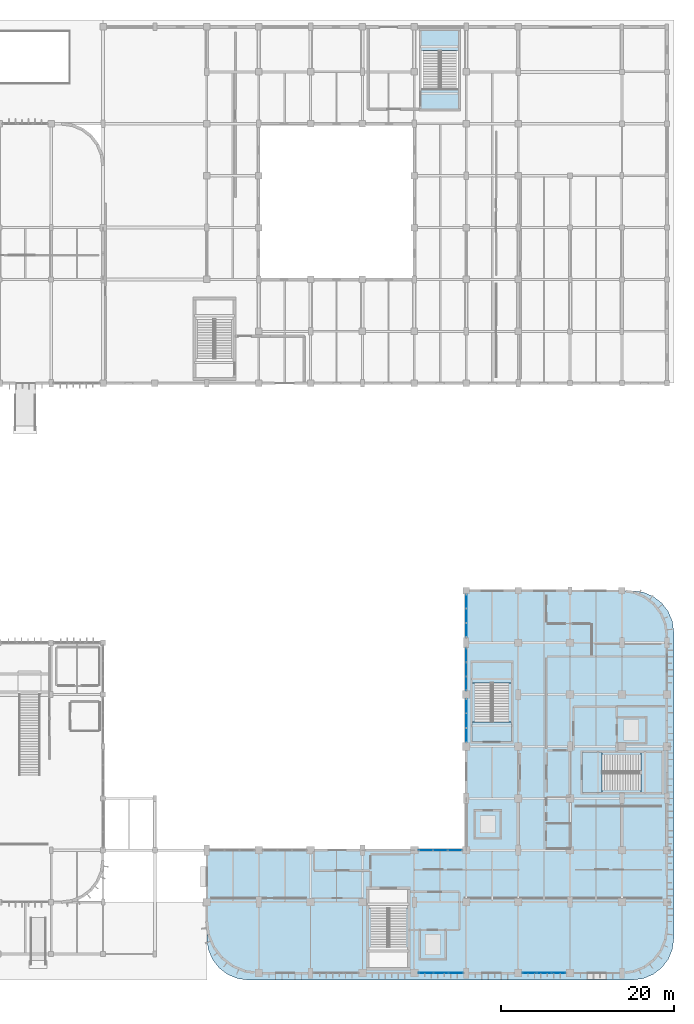
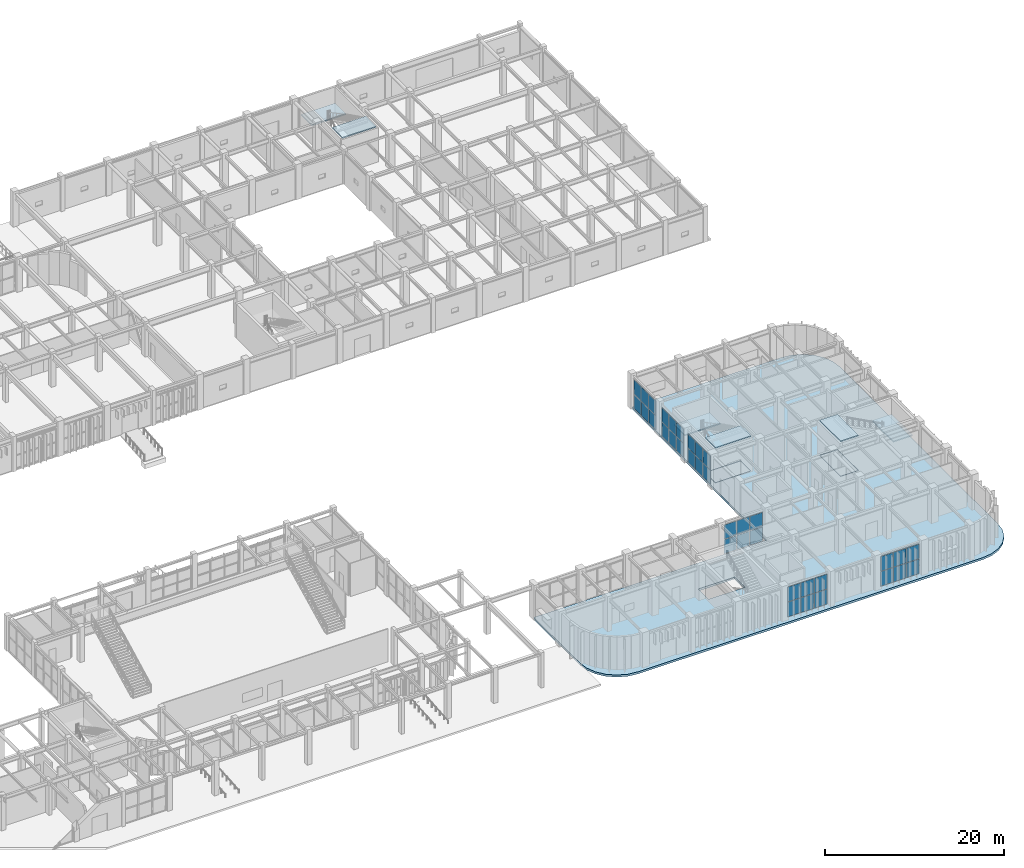
# One storey, part 39 of 76: 36 plates, 9 slabs, 9 elements without a shape of their own.
"""IFC4 building model written with IfcOpenShell, lengths in metres."""

from ifc_helpers import new_model, si_unit, direction, frame, origin, origin_2d, place, context, subcontext, project, spatial, polyline, rectangle, outline, extrude, material, layer, layer_set, type_object, element, aggregate, save


model = new_model("IFC4")

# Units and contexts
model_context = context("Model", 3, precision=1e-05, world=origin(), true_north=direction((0.0, 1.0)))
body_context = subcontext(model_context, "Body", "Model", "MODEL_VIEW")
ifc_project = project(units=[si_unit("LENGTHUNIT", "METRE"), si_unit("AREAUNIT", "SQUARE_METRE"), si_unit("VOLUMEUNIT", "CUBIC_METRE"), si_unit("PLANEANGLEUNIT", "RADIAN"), si_unit("MASSUNIT", "GRAM", prefix="KILO")], contexts=[model_context])

# Site, building, storey
site_placement = place(None, origin())
site = spatial("IfcSite", under=ifc_project, at=site_placement, CompositionType="ELEMENT")
building_placement = place(site_placement, origin())
building = spatial("IfcBuilding", under=site, at=building_placement, Name="Varnakota Square Police Headquarters", CompositionType="ELEMENT")
storey_placement = place(building_placement, origin())
storey = spatial("IfcBuildingStorey", under=building, at=storey_placement, Name="L00", CompositionType="ELEMENT", Elevation=0.0)

# Curtain wall, plates
ifc_material_1 = material(Name="Anodised Aluminium Framing", Category="aluminium")
curtain_wall_type_1 = type_object("IfcCurtainWallType", Name="CW-SYS-B", PredefinedType="NOTDEFINED", material=ifc_material_1)
curtain_wall_1_placement = place(storey_placement, origin())
curtain_wall_1 = element("IfcCurtainWall", 1, at=curtain_wall_1_placement, inside=storey, type_object=curtain_wall_type_1, Name="Unitised curtain wall CWG-L00-047", PredefinedType="NOTDEFINED")
ifc_material_2 = material(Name="Solar-Control Laminated Double Glazing", Category="glass")
ifc_layer_1 = layer(ifc_material_2, 0.028076171875, Name="Solar-Control Laminated Double Glazing")
ifc_layer_set_1 = layer_set([ifc_layer_1], Name="Solar-Control Laminated Double Glazing")
plate_type_1 = type_object("IfcPlateType", Name="CWP-GLZ-28", PredefinedType="CURTAIN_PANEL", material=ifc_layer_set_1)
plate_1_placement = place(storey_placement, frame((133.34716796875, 0.800048828125, 0.0751953125), z_axis=(0.0, 0.0, 1.0), x_axis=(1.0, 0.0, 0.0)))
plate_1 = element("IfcPlate", 2, at=plate_1_placement, type_object=plate_type_1, Name="CWG-L00-047 panel 1.1", PredefinedType="CURTAIN_PANEL", context=body_context, shape_type="SweptSolid", body=[
    extrude(rectangle(XDim=1.63427734375, YDim=0.028076171875, at=origin_2d()), origin(), (0.0, 0.0, 1.0), 2.007568359375),
])
plate_2_placement = place(storey_placement, frame((135.074951171875, 0.800048828125, 0.0751953125), z_axis=(0.0, 0.0, 1.0), x_axis=(1.0, 0.0, 0.0)))
plate_2 = element("IfcPlate", 3, at=plate_2_placement, type_object=plate_type_1, Name="CWG-L00-047 panel 2.1", PredefinedType="CURTAIN_PANEL", context=body_context, shape_type="SweptSolid", body=[
    extrude(rectangle(XDim=1.671630859375, YDim=0.028076171875, at=origin_2d()), origin(), (0.0, 0.0, 1.0), 2.007568359375),
])
plate_3_placement = place(storey_placement, frame((136.802978515625, 0.800048828125, 0.0751953125), z_axis=(0.0, 0.0, 1.0), x_axis=(1.0, 0.0, 0.0)))
plate_3 = element("IfcPlate", 4, at=plate_3_placement, type_object=plate_type_1, Name="CWG-L00-047 panel 3.1", PredefinedType="CURTAIN_PANEL", context=body_context, shape_type="SweptSolid", body=[
    extrude(rectangle(XDim=1.63427734375, YDim=0.028076171875, at=origin_2d()), origin(), (0.0, 0.0, 1.0), 2.007568359375),
])

curtain_wall_type_2 = type_object("IfcCurtainWallType", Name="CW-SYS-D", PredefinedType="NOTDEFINED", material=ifc_material_1)
curtain_wall_2_placement = place(storey_placement, origin())
curtain_wall_2 = element("IfcCurtainWall", 5, at=curtain_wall_2_placement, inside=storey, type_object=curtain_wall_type_2, Name="Unitised curtain wall CWG-L00-051", PredefinedType="NOTDEFINED")
plate_4_placement = place(storey_placement, frame((133.322021484375, 15.0, 0.074951171875), z_axis=(0.0, 0.0, 1.0), x_axis=(1.0, 0.0, 0.0)))
plate_4 = element("IfcPlate", 6, at=plate_4_placement, type_object=plate_type_1, Name="CWG-L00-051 panel 1.1", PredefinedType="CURTAIN_PANEL", context=body_context, shape_type="SweptSolid", body=[
    extrude(rectangle(XDim=1.584228515625, YDim=0.028076171875, at=origin_2d()), origin(), (0.0, 0.0, 1.0), 1.9326171875),
])
plate_5_placement = place(storey_placement, frame((135.0, 15.0, 0.074951171875), z_axis=(0.0, 0.0, 1.0), x_axis=(1.0, 0.0, 0.0)))
plate_5 = element("IfcPlate", 7, at=plate_5_placement, type_object=plate_type_1, Name="CWG-L00-051 panel 2.1", PredefinedType="CURTAIN_PANEL", context=body_context, shape_type="SweptSolid", body=[
    extrude(rectangle(XDim=1.62158203125, YDim=0.028076171875, at=origin_2d()), origin(), (0.0, 0.0, 1.0), 1.9326171875),
])
plate_6_placement = place(storey_placement, frame((136.677978515625, 15.0, 0.074951171875), z_axis=(0.0, 0.0, 1.0), x_axis=(1.0, 0.0, 0.0)))
plate_6 = element("IfcPlate", 8, at=plate_6_placement, type_object=plate_type_1, Name="CWG-L00-051 panel 3.1", PredefinedType="CURTAIN_PANEL", context=body_context, shape_type="SweptSolid", body=[
    extrude(rectangle(XDim=1.584228515625, YDim=0.028076171875, at=origin_2d()), origin(), (0.0, 0.0, 1.0), 1.9326171875),
])

curtain_wall_3_placement = place(storey_placement, origin())
curtain_wall_3 = element("IfcCurtainWall", 9, at=curtain_wall_3_placement, inside=storey, type_object=curtain_wall_type_1, Name="Unitised curtain wall CWG-L00-048", PredefinedType="NOTDEFINED")
ifc_material_3 = material(Name="Acoustic Laminated Double Glazing", Category="glass")
ifc_layer_2 = layer(ifc_material_3, 0.031982421875, Name="Acoustic Laminated Double Glazing")
ifc_layer_set_2 = layer_set([ifc_layer_2], Name="Acoustic Laminated Double Glazing")
plate_type_2 = type_object("IfcPlateType", Name="CWP-GLZ-32", PredefinedType="CURTAIN_PANEL", material=ifc_layer_set_2)
plate_7_placement = place(storey_placement, frame((145.322021484375, 0.800048828125, 0.074951171875), z_axis=(0.0, 0.0, 1.0), x_axis=(1.0, 0.0, 0.0)))
plate_7 = element("IfcPlate", 10, at=plate_7_placement, type_object=plate_type_2, Name="CWG-L00-048 panel 1.1", PredefinedType="CURTAIN_PANEL", context=body_context, shape_type="SweptSolid", body=[
    extrude(rectangle(XDim=1.584228515625, YDim=0.031982421875, at=origin_2d()), origin(), (0.0, 0.0, 1.0), 1.982421875),
])
plate_8_placement = place(storey_placement, frame((147.0, 0.800048828125, 0.074951171875), z_axis=(0.0, 0.0, 1.0), x_axis=(1.0, 0.0, 0.0)))
plate_8 = element("IfcPlate", 11, at=plate_8_placement, type_object=plate_type_2, Name="CWG-L00-048 panel 2.1", PredefinedType="CURTAIN_PANEL", context=body_context, shape_type="SweptSolid", body=[
    extrude(rectangle(XDim=1.62158203125, YDim=0.031982421875, at=origin_2d()), origin(), (0.0, 0.0, 1.0), 1.982421875),
])
plate_9_placement = place(storey_placement, frame((148.677978515625, 0.800048828125, 0.074951171875), z_axis=(0.0, 0.0, 1.0), x_axis=(1.0, 0.0, 0.0)))
plate_9 = element("IfcPlate", 12, at=plate_9_placement, type_object=plate_type_2, Name="CWG-L00-048 panel 3.1", PredefinedType="CURTAIN_PANEL", context=body_context, shape_type="SweptSolid", body=[
    extrude(rectangle(XDim=1.584228515625, YDim=0.031982421875, at=origin_2d()), origin(), (0.0, 0.0, 1.0), 1.982421875),
])

curtain_wall_type_3 = type_object("IfcCurtainWallType", Name="CW-SYS-E", PredefinedType="NOTDEFINED", material=ifc_material_1)
curtain_wall_4_placement = place(storey_placement, origin())
curtain_wall_4 = element("IfcCurtainWall", 13, at=curtain_wall_4_placement, inside=storey, type_object=curtain_wall_type_3, Name="Unitised curtain wall CWG-L00-052", PredefinedType="NOTDEFINED")
plate_10_placement = place(storey_placement, frame((138.0, 28.319580078125, 0.06494140625), z_axis=(0.0, 0.0, 1.0), x_axis=(0.0, 1.0, 0.0)))
plate_10 = element("IfcPlate", 14, at=plate_10_placement, type_object=plate_type_2, Name="CWG-L00-052 panel 1.1", PredefinedType="CURTAIN_PANEL", context=body_context, shape_type="SweptSolid", body=[
    extrude(rectangle(XDim=1.59912109375, YDim=0.031982421875, at=origin_2d()), origin(), (0.0, 0.0, 1.0), 1.8974609375),
])
plate_11_placement = place(storey_placement, frame((138.0, 30.0, 0.06494140625), z_axis=(0.0, 0.0, 1.0), x_axis=(0.0, 1.0, 0.0)))
plate_11 = element("IfcPlate", 15, at=plate_11_placement, type_object=plate_type_2, Name="CWG-L00-052 panel 2.1", PredefinedType="CURTAIN_PANEL", context=body_context, shape_type="SweptSolid", body=[
    extrude(rectangle(XDim=1.631591796875, YDim=0.031982421875, at=origin_2d()), origin(), (0.0, 0.0, 1.0), 1.8974609375),
])
plate_12_placement = place(storey_placement, frame((138.0, 31.680419921875, 0.06494140625), z_axis=(0.0, 0.0, 1.0), x_axis=(0.0, 1.0, 0.0)))
plate_12 = element("IfcPlate", 16, at=plate_12_placement, type_object=plate_type_2, Name="CWG-L00-052 panel 3.1", PredefinedType="CURTAIN_PANEL", context=body_context, shape_type="SweptSolid", body=[
    extrude(rectangle(XDim=1.59912109375, YDim=0.031982421875, at=origin_2d()), origin(), (0.0, 0.0, 1.0), 1.8974609375),
])

curtain_wall_5_placement = place(storey_placement, origin())
curtain_wall_5 = element("IfcCurtainWall", 17, at=curtain_wall_5_placement, inside=storey, type_object=curtain_wall_type_3, Name="Unitised curtain wall CWG-L00-053", PredefinedType="NOTDEFINED")
ifc_material_4 = material(Name="Blast-Resistant Laminated Glazing", Category="glass")
ifc_layer_3 = layer(ifc_material_4, 0.035888671875, Name="Blast-Resistant Laminated Glazing")
ifc_layer_set_3 = layer_set([ifc_layer_3], Name="Blast-Resistant Laminated Glazing")
plate_type_3 = type_object("IfcPlateType", Name="CWP-GLZ-36", PredefinedType="CURTAIN_PANEL", material=ifc_layer_set_3)
plate_13_placement = place(storey_placement, frame((138.0, 34.297119140625, 0.0751953125), z_axis=(0.0, 0.0, 1.0), x_axis=(0.0, 1.0, 0.0)))
plate_13 = element("IfcPlate", 18, at=plate_13_placement, type_object=plate_type_3, Name="CWG-L00-053 panel 1.1", PredefinedType="CURTAIN_PANEL", context=body_context, shape_type="SweptSolid", body=[
    extrude(rectangle(XDim=1.5341796875, YDim=0.035888671875, at=origin_2d()), origin(), (0.0, 0.0, 1.0), 1.907470703125),
])
plate_14_placement = place(storey_placement, frame((138.0, 35.925048828125, 0.0751953125), z_axis=(0.0, 0.0, 1.0), x_axis=(0.0, 1.0, 0.0)))
plate_14 = element("IfcPlate", 19, at=plate_14_placement, type_object=plate_type_3, Name="CWG-L00-053 panel 2.1", PredefinedType="CURTAIN_PANEL", context=body_context, shape_type="SweptSolid", body=[
    extrude(rectangle(XDim=1.57177734375, YDim=0.035888671875, at=origin_2d()), origin(), (0.0, 0.0, 1.0), 1.907470703125),
])
plate_15_placement = place(storey_placement, frame((138.0, 37.552978515625, 0.0751953125), z_axis=(0.0, 0.0, 1.0), x_axis=(0.0, 1.0, 0.0)))
plate_15 = element("IfcPlate", 20, at=plate_15_placement, type_object=plate_type_3, Name="CWG-L00-053 panel 3.1", PredefinedType="CURTAIN_PANEL", context=body_context, shape_type="SweptSolid", body=[
    extrude(rectangle(XDim=1.5341796875, YDim=0.035888671875, at=origin_2d()), origin(), (0.0, 0.0, 1.0), 1.907470703125),
])

curtain_wall_6_placement = place(storey_placement, origin())
curtain_wall_6 = element("IfcCurtainWall", 21, at=curtain_wall_6_placement, inside=storey, type_object=curtain_wall_type_3, Name="Unitised curtain wall CWG-L00-054", PredefinedType="NOTDEFINED")
ifc_material_5 = material(Name="Triple-Glazed Clean-Lab Vision Unit", Category="aluminium")
ifc_layer_4 = layer(ifc_material_5, 0.0419921875, Name="Triple-Glazed Clean-Lab Vision Unit")
ifc_layer_set_4 = layer_set([ifc_layer_4], Name="Triple-Glazed Clean-Lab Vision Unit")
plate_type_4 = type_object("IfcPlateType", Name="CWP-GLZ-42", PredefinedType="CURTAIN_PANEL", material=ifc_layer_set_4)
plate_16_placement = place(storey_placement, frame((138.0, 40.45947265625, 0.074951171875), z_axis=(0.0, 0.0, 1.0), x_axis=(0.0, 1.0, 0.0)))
plate_16 = element("IfcPlate", 22, at=plate_16_placement, type_object=plate_type_4, Name="CWG-L00-054 panel 1.1", PredefinedType="CURTAIN_PANEL", context=body_context, shape_type="SweptSolid", body=[
    extrude(rectangle(XDim=1.55908203125, YDim=0.0419921875, at=origin_2d()), origin(), (0.0, 0.0, 1.0), 1.9326171875),
])
plate_17_placement = place(storey_placement, frame((138.0, 42.112548828125, 0.074951171875), z_axis=(0.0, 0.0, 1.0), x_axis=(0.0, 1.0, 0.0)))
plate_17 = element("IfcPlate", 23, at=plate_17_placement, type_object=plate_type_4, Name="CWG-L00-054 panel 2.1", PredefinedType="CURTAIN_PANEL", context=body_context, shape_type="SweptSolid", body=[
    extrude(rectangle(XDim=1.5966796875, YDim=0.0419921875, at=origin_2d()), origin(), (0.0, 0.0, 1.0), 1.9326171875),
])
plate_18_placement = place(storey_placement, frame((138.0, 43.765380859375, 0.074951171875), z_axis=(0.0, 0.0, 1.0), x_axis=(0.0, 1.0, 0.0)))
plate_18 = element("IfcPlate", 24, at=plate_18_placement, type_object=plate_type_4, Name="CWG-L00-054 panel 3.1", PredefinedType="CURTAIN_PANEL", context=body_context, shape_type="SweptSolid", body=[
    extrude(rectangle(XDim=1.55908203125, YDim=0.0419921875, at=origin_2d()), origin(), (0.0, 0.0, 1.0), 1.9326171875),
])

# Plate
ifc_material_6 = material(Name="Insulated Anodised Aluminium Spandrel Panel", Category="aluminium")
ifc_layer_5 = layer(ifc_material_6, 0.050048828125, Name="Insulated Anodised Aluminium Spandrel Panel")
ifc_layer_set_5 = layer_set([ifc_layer_5], Name="Insulated Anodised Aluminium Spandrel Panel")
plate_type_5 = type_object("IfcPlateType", Name="CWP-SPN-50", PredefinedType="CURTAIN_PANEL", material=ifc_layer_set_5)
plate_19_placement = place(storey_placement, frame((133.34716796875, 0.800048828125, 2.1572265625), z_axis=(0.0, 0.0, 1.0), x_axis=(1.0, 0.0, 0.0)))
plate_19 = element("IfcPlate", 25, at=plate_19_placement, type_object=plate_type_5, Name="CWG-L00-047 panel 1.2", PredefinedType="CURTAIN_PANEL", context=body_context, shape_type="SweptSolid", body=[
    extrude(rectangle(XDim=1.63427734375, YDim=0.050048828125, at=origin_2d()), origin(), (0.0, 0.0, 1.0), 2.007568359375),
])

plate_20_placement = place(storey_placement, frame((135.074951171875, 0.800048828125, 2.1572265625), z_axis=(0.0, 0.0, 1.0), x_axis=(1.0, 0.0, 0.0)))
plate_20 = element("IfcPlate", 26, at=plate_20_placement, type_object=plate_type_5, Name="CWG-L00-047 panel 2.2", PredefinedType="CURTAIN_PANEL", context=body_context, shape_type="SweptSolid", body=[
    extrude(rectangle(XDim=1.671630859375, YDim=0.050048828125, at=origin_2d()), origin(), (0.0, 0.0, 1.0), 2.007568359375),
])

plate_21_placement = place(storey_placement, frame((136.802978515625, 0.800048828125, 2.1572265625), z_axis=(0.0, 0.0, 1.0), x_axis=(1.0, 0.0, 0.0)))
plate_21 = element("IfcPlate", 27, at=plate_21_placement, type_object=plate_type_5, Name="CWG-L00-047 panel 3.2", PredefinedType="CURTAIN_PANEL", context=body_context, shape_type="SweptSolid", body=[
    extrude(rectangle(XDim=1.63427734375, YDim=0.050048828125, at=origin_2d()), origin(), (0.0, 0.0, 1.0), 2.007568359375),
])

aggregate(curtain_wall_1, [plate_1, plate_19, plate_2, plate_20, plate_3, plate_21])

plate_22_placement = place(storey_placement, frame((133.322021484375, 15.0, 2.08251953125), z_axis=(0.0, 0.0, 1.0), x_axis=(1.0, 0.0, 0.0)))
plate_22 = element("IfcPlate", 28, at=plate_22_placement, type_object=plate_type_5, Name="CWG-L00-051 panel 1.2", PredefinedType="CURTAIN_PANEL", context=body_context, shape_type="SweptSolid", body=[
    extrude(rectangle(XDim=1.584228515625, YDim=0.050048828125, at=origin_2d()), origin(), (0.0, 0.0, 1.0), 1.9326171875),
])

plate_23_placement = place(storey_placement, frame((135.0, 15.0, 2.08251953125), z_axis=(0.0, 0.0, 1.0), x_axis=(1.0, 0.0, 0.0)))
plate_23 = element("IfcPlate", 29, at=plate_23_placement, type_object=plate_type_5, Name="CWG-L00-051 panel 2.2", PredefinedType="CURTAIN_PANEL", context=body_context, shape_type="SweptSolid", body=[
    extrude(rectangle(XDim=1.62158203125, YDim=0.050048828125, at=origin_2d()), origin(), (0.0, 0.0, 1.0), 1.9326171875),
])

plate_24_placement = place(storey_placement, frame((136.677978515625, 15.0, 2.08251953125), z_axis=(0.0, 0.0, 1.0), x_axis=(1.0, 0.0, 0.0)))
plate_24 = element("IfcPlate", 30, at=plate_24_placement, type_object=plate_type_5, Name="CWG-L00-051 panel 3.2", PredefinedType="CURTAIN_PANEL", context=body_context, shape_type="SweptSolid", body=[
    extrude(rectangle(XDim=1.584228515625, YDim=0.050048828125, at=origin_2d()), origin(), (0.0, 0.0, 1.0), 1.9326171875),
])

aggregate(curtain_wall_2, [plate_4, plate_22, plate_5, plate_23, plate_6, plate_24])

plate_25_placement = place(storey_placement, frame((138.0, 34.297119140625, 2.0576171875), z_axis=(0.0, 0.0, 1.0), x_axis=(0.0, 1.0, 0.0)))
plate_25 = element("IfcPlate", 31, at=plate_25_placement, type_object=plate_type_5, Name="CWG-L00-053 panel 1.2", PredefinedType="CURTAIN_PANEL", context=body_context, shape_type="SweptSolid", body=[
    extrude(rectangle(XDim=1.5341796875, YDim=0.050048828125, at=origin_2d()), origin(), (0.0, 0.0, 1.0), 1.907470703125),
])

plate_26_placement = place(storey_placement, frame((138.0, 35.925048828125, 2.0576171875), z_axis=(0.0, 0.0, 1.0), x_axis=(0.0, 1.0, 0.0)))
plate_26 = element("IfcPlate", 32, at=plate_26_placement, type_object=plate_type_5, Name="CWG-L00-053 panel 2.2", PredefinedType="CURTAIN_PANEL", context=body_context, shape_type="SweptSolid", body=[
    extrude(rectangle(XDim=1.57177734375, YDim=0.050048828125, at=origin_2d()), origin(), (0.0, 0.0, 1.0), 1.907470703125),
])

plate_27_placement = place(storey_placement, frame((138.0, 37.552978515625, 2.0576171875), z_axis=(0.0, 0.0, 1.0), x_axis=(0.0, 1.0, 0.0)))
plate_27 = element("IfcPlate", 33, at=plate_27_placement, type_object=plate_type_5, Name="CWG-L00-053 panel 3.2", PredefinedType="CURTAIN_PANEL", context=body_context, shape_type="SweptSolid", body=[
    extrude(rectangle(XDim=1.5341796875, YDim=0.050048828125, at=origin_2d()), origin(), (0.0, 0.0, 1.0), 1.907470703125),
])

aggregate(curtain_wall_5, [plate_13, plate_25, plate_14, plate_26, plate_15, plate_27])

ifc_material_7 = material(Name="Fire-Stopped Mineral-Wool Spandrel Panel", Category="aluminium")
ifc_layer_6 = layer(ifc_material_7, 0.06005859375, Name="Fire-Stopped Mineral-Wool Spandrel Panel")
ifc_layer_set_6 = layer_set([ifc_layer_6], Name="Fire-Stopped Mineral-Wool Spandrel Panel")
plate_type_6 = type_object("IfcPlateType", Name="CWP-SPN-60", PredefinedType="CURTAIN_PANEL", material=ifc_layer_set_6)
plate_28_placement = place(storey_placement, frame((145.322021484375, 0.800048828125, 2.132568359375), z_axis=(0.0, 0.0, 1.0), x_axis=(1.0, 0.0, 0.0)))
plate_28 = element("IfcPlate", 34, at=plate_28_placement, type_object=plate_type_6, Name="CWG-L00-048 panel 1.2", PredefinedType="CURTAIN_PANEL", context=body_context, shape_type="SweptSolid", body=[
    extrude(rectangle(XDim=1.584228515625, YDim=0.06005859375, at=origin_2d()), origin(), (0.0, 0.0, 1.0), 1.982421875),
])

plate_29_placement = place(storey_placement, frame((147.0, 0.800048828125, 2.132568359375), z_axis=(0.0, 0.0, 1.0), x_axis=(1.0, 0.0, 0.0)))
plate_29 = element("IfcPlate", 35, at=plate_29_placement, type_object=plate_type_6, Name="CWG-L00-048 panel 2.2", PredefinedType="CURTAIN_PANEL", context=body_context, shape_type="SweptSolid", body=[
    extrude(rectangle(XDim=1.62158203125, YDim=0.06005859375, at=origin_2d()), origin(), (0.0, 0.0, 1.0), 1.982421875),
])

plate_30_placement = place(storey_placement, frame((148.677978515625, 0.800048828125, 2.132568359375), z_axis=(0.0, 0.0, 1.0), x_axis=(1.0, 0.0, 0.0)))
plate_30 = element("IfcPlate", 36, at=plate_30_placement, type_object=plate_type_6, Name="CWG-L00-048 panel 3.2", PredefinedType="CURTAIN_PANEL", context=body_context, shape_type="SweptSolid", body=[
    extrude(rectangle(XDim=1.584228515625, YDim=0.06005859375, at=origin_2d()), origin(), (0.0, 0.0, 1.0), 1.982421875),
])

aggregate(curtain_wall_3, [plate_7, plate_28, plate_8, plate_29, plate_9, plate_30])

plate_31_placement = place(storey_placement, frame((138.0, 28.319580078125, 2.027587890625), z_axis=(0.0, 0.0, 1.0), x_axis=(0.0, 1.0, 0.0)))
plate_31 = element("IfcPlate", 37, at=plate_31_placement, type_object=plate_type_6, Name="CWG-L00-052 panel 1.2", PredefinedType="CURTAIN_PANEL", context=body_context, shape_type="SweptSolid", body=[
    extrude(rectangle(XDim=1.59912109375, YDim=0.06005859375, at=origin_2d()), origin(), (0.0, 0.0, 1.0), 1.8974609375),
])

plate_32_placement = place(storey_placement, frame((138.0, 30.0, 2.027587890625), z_axis=(0.0, 0.0, 1.0), x_axis=(0.0, 1.0, 0.0)))
plate_32 = element("IfcPlate", 38, at=plate_32_placement, type_object=plate_type_6, Name="CWG-L00-052 panel 2.2", PredefinedType="CURTAIN_PANEL", context=body_context, shape_type="SweptSolid", body=[
    extrude(rectangle(XDim=1.631591796875, YDim=0.06005859375, at=origin_2d()), origin(), (0.0, 0.0, 1.0), 1.8974609375),
])

plate_33_placement = place(storey_placement, frame((138.0, 31.680419921875, 2.027587890625), z_axis=(0.0, 0.0, 1.0), x_axis=(0.0, 1.0, 0.0)))
plate_33 = element("IfcPlate", 39, at=plate_33_placement, type_object=plate_type_6, Name="CWG-L00-052 panel 3.2", PredefinedType="CURTAIN_PANEL", context=body_context, shape_type="SweptSolid", body=[
    extrude(rectangle(XDim=1.59912109375, YDim=0.06005859375, at=origin_2d()), origin(), (0.0, 0.0, 1.0), 1.8974609375),
])

aggregate(curtain_wall_4, [plate_10, plate_31, plate_11, plate_32, plate_12, plate_33])

plate_34_placement = place(storey_placement, frame((138.0, 40.45947265625, 2.08251953125), z_axis=(0.0, 0.0, 1.0), x_axis=(0.0, 1.0, 0.0)))
plate_34 = element("IfcPlate", 40, at=plate_34_placement, type_object=plate_type_6, Name="CWG-L00-054 panel 1.2", PredefinedType="CURTAIN_PANEL", context=body_context, shape_type="SweptSolid", body=[
    extrude(rectangle(XDim=1.55908203125, YDim=0.06005859375, at=origin_2d()), origin(), (0.0, 0.0, 1.0), 1.9326171875),
])

plate_35_placement = place(storey_placement, frame((138.0, 42.112548828125, 2.08251953125), z_axis=(0.0, 0.0, 1.0), x_axis=(0.0, 1.0, 0.0)))
plate_35 = element("IfcPlate", 41, at=plate_35_placement, type_object=plate_type_6, Name="CWG-L00-054 panel 2.2", PredefinedType="CURTAIN_PANEL", context=body_context, shape_type="SweptSolid", body=[
    extrude(rectangle(XDim=1.5966796875, YDim=0.06005859375, at=origin_2d()), origin(), (0.0, 0.0, 1.0), 1.9326171875),
])

plate_36_placement = place(storey_placement, frame((138.0, 43.765380859375, 2.08251953125), z_axis=(0.0, 0.0, 1.0), x_axis=(0.0, 1.0, 0.0)))
plate_36 = element("IfcPlate", 42, at=plate_36_placement, type_object=plate_type_6, Name="CWG-L00-054 panel 3.2", PredefinedType="CURTAIN_PANEL", context=body_context, shape_type="SweptSolid", body=[
    extrude(rectangle(XDim=1.55908203125, YDim=0.06005859375, at=origin_2d()), origin(), (0.0, 0.0, 1.0), 1.9326171875),
])

aggregate(curtain_wall_6, [plate_16, plate_34, plate_17, plate_35, plate_18, plate_36])

# Slab
ifc_material_8 = material(Name="Concrete M40", Category="concrete")
ifc_layer_7 = layer(ifc_material_8, 0.280029296875, Name="Concrete M40")
ifc_layer_set_7 = layer_set([ifc_layer_7], Name="Concrete M40")
slab_type_1 = type_object("IfcSlabType", Name="SL-POD-280", PredefinedType="FLOOR", material=ifc_layer_set_7)
slab_1_placement = place(storey_placement, frame((0.0, 0.0, -0.280029296875)))
element("IfcSlab", 43, at=slab_1_placement, inside=storey, type_object=slab_type_1, Name="L00 Operations Corner Slab", PredefinedType="FLOOR", context=body_context, shape_type="SweptSolid", body=[
    extrude(outline(polyline([(108.0, 4.800048828125), (108.16357421875, 3.5576171875), (108.64306640625, 2.39990234375), (109.406005859375, 1.406005859375), (110.39990234375, 0.64306640625), (111.5576171875, 0.16357421875), (112.800048828125, 0.0), (157.199951171875, 0.0), (158.4423828125, 0.16357421875), (159.60009765625, 0.64306640625), (160.593994140625, 1.406005859375), (161.35693359375, 2.39990234375), (161.83642578125, 3.5576171875), (162.0, 4.800048828125), (162.0, 40.199951171875), (161.83642578125, 41.4423828125), (161.35693359375, 42.60009765625), (160.593994140625, 43.593994140625), (159.60009765625, 44.35693359375), (158.4423828125, 44.83642578125), (157.199951171875, 45.0), (138.0, 45.0), (138.0, 15.0), (108.0, 15.0), (108.0, 4.800048828125)]), holes=[polyline([(126.655029296875, 8.294921875), (131.344970703125, 8.294921875), (131.344970703125, 10.594970703125), (126.655029296875, 10.594970703125), (126.655029296875, 8.294921875)]), polyline([(151.405029296875, 21.655029296875), (153.705078125, 21.655029296875), (153.705078125, 26.344970703125), (151.405029296875, 26.344970703125), (151.405029296875, 21.655029296875)]), polyline([(138.655029296875, 27.554931640625), (143.2451171875, 27.554931640625), (143.2451171875, 29.85498046875), (138.655029296875, 29.85498046875), (138.655029296875, 27.554931640625)])]), origin(), (0.0, 0.0, 1.0), 0.280029296875),
])

# Stair, slabs
stair_type_1 = type_object("IfcStairType", Name="STR-DOG-1850", PredefinedType="USERDEFINED", material=ifc_material_8)
stair_1_placement = place(storey_placement, origin())
stair_1 = element("IfcStair", 44, at=stair_1_placement, inside=storey, type_object=stair_type_1, Name="Protected exit stair ST8 (L00)", ObjectType="TWO_RETURN_STAIR", PredefinedType="USERDEFINED")
ifc_layer_8 = layer(ifc_material_8, 0.157958984375, Name="Concrete M40")
ifc_layer_set_8 = layer_set([ifc_layer_8], Name="Concrete M40")
slab_type_2 = type_object("IfcSlabType", Name="SLB-LND-1850", PredefinedType="LANDING", material=ifc_layer_set_8)
slab_2_placement = place(storey_placement, frame((0.0, 0.0, 2.241943359375)))
slab_2 = element("IfcSlab", 45, at=slab_2_placement, type_object=slab_type_2, Name="ST8-L00 landing 1", PredefinedType="LANDING", context=body_context, shape_type="SweptSolid", body=[
    extrude(outline(polyline([(132.760009765625, 107.45068359375), (137.139892578125, 107.45068359375), (137.139892578125, 109.840087890625), (132.760009765625, 109.840087890625), (132.760009765625, 107.45068359375)])), origin(), (0.0, 0.0, 1.0), 0.157958984375),
])
slab_3_placement = place(storey_placement, frame((0.0, 0.0, 4.64208984375)))
slab_3 = element("IfcSlab", 46, at=slab_3_placement, type_object=slab_type_2, Name="ST8-L00 landing 2", PredefinedType="LANDING", context=body_context, shape_type="SweptSolid", body=[
    extrude(outline(polyline([(132.760009765625, 100.659912109375), (137.139892578125, 100.659912109375), (137.139892578125, 102.949951171875), (132.760009765625, 102.949951171875), (132.760009765625, 100.659912109375)])), origin(), (0.0, 0.0, 1.0), 0.157958984375),
])
aggregate(stair_1, [slab_2, slab_3])

stair_type_2 = type_object("IfcStairType", Name="STR-DOG-1900", PredefinedType="USERDEFINED", material=ifc_material_8)
stair_2_placement = place(storey_placement, origin())
stair_2 = element("IfcStair", 47, at=stair_2_placement, inside=storey, type_object=stair_type_2, Name="Protected exit stair ST3 (L00)", ObjectType="TWO_RETURN_STAIR", PredefinedType="USERDEFINED")
ifc_layer_9 = layer(ifc_material_8, 0.162109375, Name="Concrete M40")
ifc_layer_set_9 = layer_set([ifc_layer_9], Name="Concrete M40")
slab_type_3 = type_object("IfcSlabType", Name="SLB-LND-1900", PredefinedType="LANDING", material=ifc_layer_set_9)
slab_4_placement = place(storey_placement, frame((0.0, 0.0, 2.238037109375)))
slab_4 = element("IfcSlab", 48, at=slab_4_placement, type_object=slab_type_3, Name="ST3-L00 landing 1", PredefinedType="LANDING", context=body_context, shape_type="SweptSolid", body=[
    extrude(outline(polyline([(138.659912109375, 34.350830078125), (143.239990234375, 34.350830078125), (143.239990234375, 36.739990234375), (138.659912109375, 36.739990234375), (138.659912109375, 34.350830078125)])), origin(), (0.0, 0.0, 1.0), 0.161865234375),
])
slab_5_placement = place(storey_placement, frame((0.0, 0.0, 4.637939453125)))
slab_5 = element("IfcSlab", 49, at=slab_5_placement, type_object=slab_type_3, Name="ST3-L00 landing 2", PredefinedType="LANDING", context=body_context, shape_type="SweptSolid", body=[
    extrude(outline(polyline([(138.659912109375, 27.56005859375), (143.239990234375, 27.56005859375), (143.239990234375, 29.85009765625), (138.659912109375, 29.85009765625), (138.659912109375, 27.56005859375)])), origin(), (0.0, 0.0, 1.0), 0.162109375),
])
slab_6_placement = place(storey_placement, frame((0.0, 0.0, -0.162109375)))
slab_6 = element("IfcSlab", 50, at=slab_6_placement, type_object=slab_type_3, Name="ST3-L00 landing 3", PredefinedType="LANDING", context=body_context, shape_type="SweptSolid", body=[
    extrude(outline(polyline([(138.659912109375, 27.56005859375), (143.239990234375, 27.56005859375), (143.239990234375, 29.85009765625), (138.659912109375, 29.85009765625), (138.659912109375, 27.56005859375)])), origin(), (0.0, 0.0, 1.0), 0.162109375),
])
aggregate(stair_2, [slab_4, slab_5, slab_6])

stair_type_3 = type_object("IfcStairType", Name="STR-DOG-2000", PredefinedType="USERDEFINED", material=ifc_material_8)
stair_3_placement = place(storey_placement, origin())
stair_3 = element("IfcStair", 51, at=stair_3_placement, inside=storey, type_object=stair_type_3, Name="Protected exit stair ST2 (L00)", ObjectType="TWO_RETURN_STAIR", PredefinedType="USERDEFINED")
ifc_layer_10 = layer(ifc_material_8, 0.166015625, Name="Concrete M40")
ifc_layer_set_10 = layer_set([ifc_layer_10], Name="Concrete M40")
slab_type_4 = type_object("IfcSlabType", Name="SLB-LND-2000", PredefinedType="LANDING", material=ifc_layer_set_10)
slab_7_placement = place(storey_placement, frame((0.0, 0.0, 2.23388671875)))
slab_7 = element("IfcSlab", 52, at=slab_7_placement, type_object=slab_type_4, Name="ST2-L00 landing 1", PredefinedType="LANDING", context=body_context, shape_type="SweptSolid", body=[
    extrude(outline(polyline([(158.20068359375, 21.659912109375), (160.68994140625, 21.659912109375), (160.68994140625, 26.340087890625), (158.20068359375, 26.340087890625), (158.20068359375, 21.659912109375)])), origin(), (0.0, 0.0, 1.0), 0.166015625),
])
slab_8_placement = place(storey_placement, frame((0.0, 0.0, 4.634033203125)))
slab_8 = element("IfcSlab", 53, at=slab_8_placement, type_object=slab_type_4, Name="ST2-L00 landing 2", PredefinedType="LANDING", context=body_context, shape_type="SweptSolid", body=[
    extrude(outline(polyline([(151.409912109375, 21.659912109375), (153.699951171875, 21.659912109375), (153.699951171875, 26.340087890625), (151.409912109375, 26.340087890625), (151.409912109375, 21.659912109375)])), origin(), (0.0, 0.0, 1.0), 0.166015625),
])
slab_9_placement = place(storey_placement, frame((0.0, 0.0, -0.166015625)))
slab_9 = element("IfcSlab", 54, at=slab_9_placement, type_object=slab_type_4, Name="ST2-L00 landing 3", PredefinedType="LANDING", context=body_context, shape_type="SweptSolid", body=[
    extrude(outline(polyline([(151.409912109375, 21.659912109375), (153.699951171875, 21.659912109375), (153.699951171875, 26.340087890625), (151.409912109375, 26.340087890625), (151.409912109375, 21.659912109375)])), origin(), (0.0, 0.0, 1.0), 0.166015625),
])
aggregate(stair_3, [slab_7, slab_8, slab_9])

save(model, "model.ifc")
